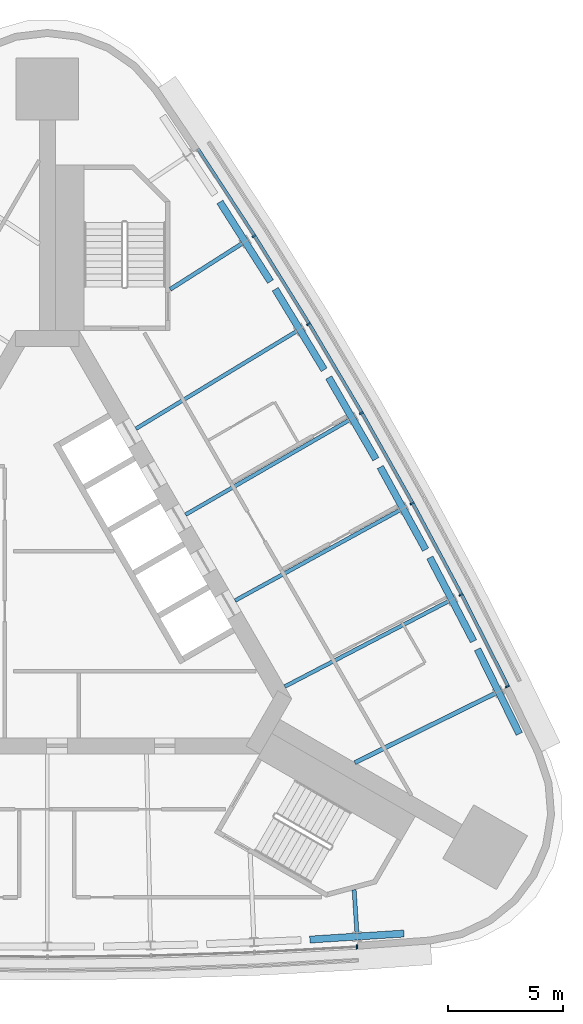
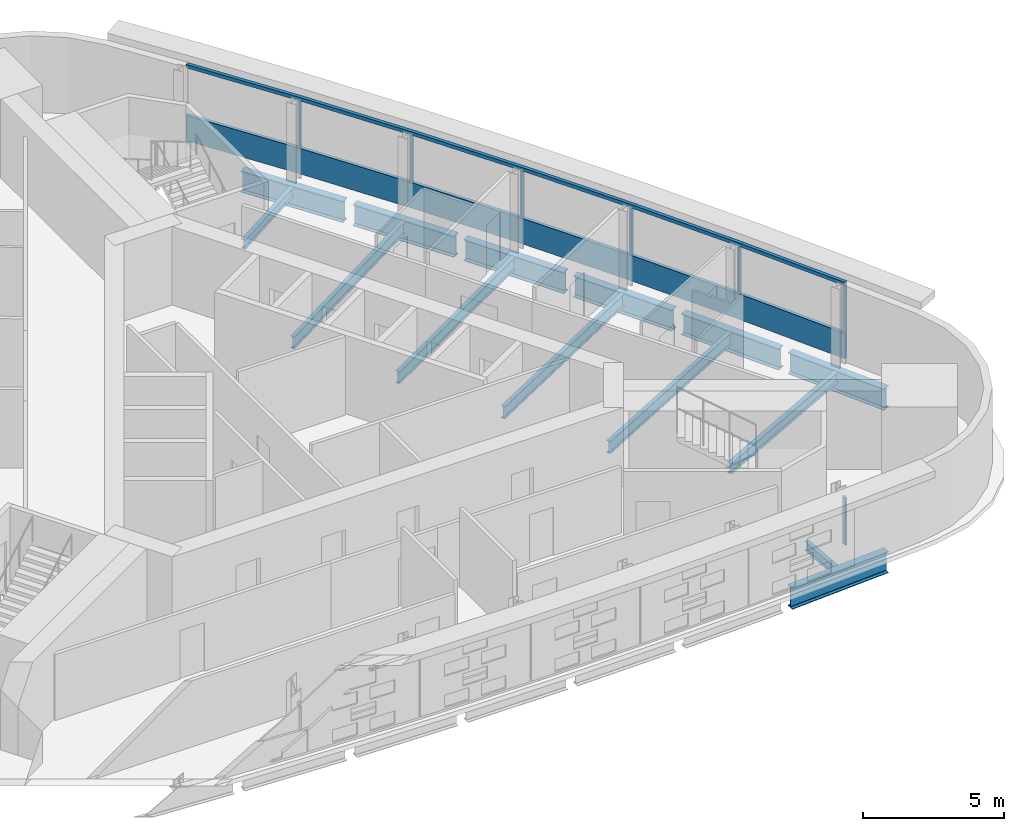
# One storey, part 4 of 10: 14 beams, 9 members, 2 elements without a shape of their own.
"""IFC4 building model written with IfcOpenShell, lengths in metres."""

import ifcopenshell
import ifcopenshell.guid

model = None  # the IFC model being written
_history = None  # IfcOwnerHistory: only IFC2X3 demands one
_inside = {}  # id of a spatial element -> (the spatial element, [elements in it])
_under = {}  # id of a project, library or spatial element -> (it, [spatial elements below it])
_declared = {}  # id of a project -> (the project, [libraries it declares])
_typed = {}  # id of a type object -> (the type object, [elements of that type])
_made_of = {}  # id of a material, layer set ... -> (it, [elements and type objects made of it])


def new_model(schema):
    """Start an empty IFC model of exactly this schema.

    Asked for "IFC4X3", IfcOpenShell would pick the latest addendum, in which some entities
    have other attributes; the version numbers below select the first issue.
    IFC2X3 requires an IfcOwnerHistory on every rooted entity: one is made here for all.
    """
    global model, _history
    if schema == "IFC4X3":
        model = ifcopenshell.file(schema_version=(4, 3, 0, 0))
    else:
        model = ifcopenshell.file(schema=schema)
    _inside.clear()
    _under.clear()
    _declared.clear()
    _typed.clear()
    _made_of.clear()
    _history = None
    if model.schema == "IFC2X3":
        org = make("IfcOrganization", Name="unknown")
        user = make(
            "IfcPersonAndOrganization",
            ThePerson=make("IfcPerson", FamilyName="unknown"),
            TheOrganization=org,
        )
        app = make(
            "IfcApplication",
            ApplicationDeveloper=org,
            Version="unknown",
            ApplicationFullName="unknown",
            ApplicationIdentifier="unknown",
        )
        _history = make(
            "IfcOwnerHistory",
            OwningUser=user,
            OwningApplication=app,
            ChangeAction="ADDED",
            CreationDate=0,
        )
    return model


def make(cls, **values):
    """One entity of the class cls with the attributes given. An attribute that is None is left unset."""
    return model.create_entity(
        cls, **{name: value for name, value in values.items() if value is not None}
    )


def rooted(cls, **values):
    """An entity with a GlobalId (a new one), such as an element, a storey or a relation."""
    return make(cls, GlobalId=ifcopenshell.guid.new(), OwnerHistory=_history, **values)


def si_unit(unit_type, name, prefix=None):
    """IfcSIUnit, for example si_unit("LENGTHUNIT", "METRE", prefix="MILLI")."""
    return make("IfcSIUnit", UnitType=unit_type, Prefix=prefix, Name=name)


def assignment(units):
    """IfcUnitAssignment: the units of a project."""
    return None if units is None else make("IfcUnitAssignment", Units=units)


def point(xyz):
    """IfcCartesianPoint."""
    return None if xyz is None else make("IfcCartesianPoint", Coordinates=xyz)


def direction(xyz):
    """IfcDirection."""
    return None if xyz is None else make("IfcDirection", DirectionRatios=xyz)


def frame(location, z_axis=None, x_axis=None):
    """IfcAxis2Placement3D, a coordinate frame: its origin and axes. An axis left out is left unset."""
    return make(
        "IfcAxis2Placement3D",
        Location=point(location),
        Axis=direction(z_axis),
        RefDirection=direction(x_axis),
    )


def frame_2d(location, x_axis=None):
    """IfcAxis2Placement2D, a coordinate frame in the plane: its origin and x axis."""
    return make(
        "IfcAxis2Placement2D", Location=point(location), RefDirection=direction(x_axis)
    )


def origin():
    """The frame at (0, 0, 0) with its axes left unset."""
    return frame((0.0, 0.0, 0.0))


def origin_2d():
    """The frame at (0, 0) in the plane with its x axis left unset."""
    return frame_2d((0.0, 0.0))


def place(relative_to, where):
    """IfcLocalPlacement: puts the frame where relative to a parent placement (None: the world)."""
    return make(
        "IfcLocalPlacement", PlacementRelTo=relative_to, RelativePlacement=where
    )


def context(
    kind, dimensions, precision=None, world=None, true_north=None, identifier=None
):
    """IfcGeometricRepresentationContext, for example the 3D "Model" context."""
    return make(
        "IfcGeometricRepresentationContext",
        ContextIdentifier=identifier,
        ContextType=kind,
        CoordinateSpaceDimension=dimensions,
        Precision=precision,
        WorldCoordinateSystem=world,
        TrueNorth=true_north,
    )


def subcontext(parent, identifier, kind, view, scale=None):
    """IfcGeometricRepresentationSubContext, for example "Body" below "Model"."""
    return make(
        "IfcGeometricRepresentationSubContext",
        ContextIdentifier=identifier,
        ContextType=kind,
        ParentContext=parent,
        TargetScale=scale,
        TargetView=view,
    )


def project(units=None, contexts=None):
    """IfcProject with its units and contexts."""
    return rooted(
        "IfcProject",
        Name="project",
        RepresentationContexts=contexts,
        UnitsInContext=assignment(units),
    )


def spatial(cls, under=None, at=None, **own):
    """A site, building, storey or space (cls), placed at a placement, below another one or the project."""
    s = rooted(cls, ObjectPlacement=at, **own)
    if under is not None:
        _under.setdefault(under.id(), (under, []))[1].append(s)
    return s


def polyline(points):
    """IfcPolyline through the points."""
    return make("IfcPolyline", Points=[point(p) for p in points])


def profile(cls, at=None, kind="AREA", **sizes):
    """A parametric profile (cls). Its sizes go by their IFC names, for example OverallWidth=200.0."""
    return make(cls, ProfileType=kind, Position=at, **sizes)


def rectangle(**sizes):
    """IfcRectangleProfileDef."""
    return profile("IfcRectangleProfileDef", **sizes)


def i_section(**sizes):
    """IfcIShapeProfileDef."""
    return profile("IfcIShapeProfileDef", **sizes)


def outline(outer, holes=None, kind="AREA"):
    """IfcArbitraryClosedProfileDef: a profile drawn as a closed curve; with holes, ...WithVoids."""
    if holes is None:
        return make("IfcArbitraryClosedProfileDef", ProfileType=kind, OuterCurve=outer)
    return make(
        "IfcArbitraryProfileDefWithVoids",
        ProfileType=kind,
        OuterCurve=outer,
        InnerCurves=holes,
    )


def extrude(swept, where, along, depth):
    """IfcExtrudedAreaSolid: the profile swept, set in the frame where, extruded along a direction by depth."""
    return make(
        "IfcExtrudedAreaSolid",
        SweptArea=swept,
        Position=where,
        ExtrudedDirection=direction(along),
        Depth=depth,
    )


def shape(context_of_items, identifier, shape_type, items):
    """IfcShapeRepresentation: the items that make up one representation, for example the "Body"."""
    return make(
        "IfcShapeRepresentation",
        ContextOfItems=context_of_items,
        RepresentationIdentifier=identifier,
        RepresentationType=shape_type,
        Items=items,
    )


def material(Name=None, Category=None):
    """IfcMaterial."""
    return make("IfcMaterial", Name=Name, Category=Category)


def material_profile(
    of_material, cross_section, Name=None, Category=None, Priority=None
):
    """IfcMaterialProfile: a cross section and its material."""
    return make(
        "IfcMaterialProfile",
        Name=Name,
        Material=of_material,
        Profile=cross_section,
        Priority=Priority,
        Category=Category,
    )


def profile_set(profiles, Name=None, composite=None):
    """IfcMaterialProfileSet."""
    return make(
        "IfcMaterialProfileSet",
        Name=Name,
        MaterialProfiles=profiles,
        CompositeProfile=composite,
    )


def made_of(thing, what):
    """Note that an element or type object is made of a material, layer set ...; save() writes the relation."""
    if what is not None:
        _made_of.setdefault(what.id(), (what, []))[1].append(thing)
    return thing


def type_object(cls, material=None, **own):
    """A type object (cls), such as IfcWallType, which elements share."""
    return made_of(rooted(cls, **own), material)


def element(
    cls,
    number,
    at=None,
    inside=None,
    cuts=None,
    type_object=None,
    material=None,
    context=None,
    identifier="Body",
    shape_type=None,
    held_by="IfcProductDefinitionShape",
    body=None,
    shapes=None,
    **own,
):
    """One element of the class cls, such as IfcWall. Its Tag is "e" and its number.

    at: its placement. inside: the storey or other place that contains it. cuts: it is an
    opening in that element (IfcRelVoidsElement). A single representation is given by context,
    identifier, shape_type and body (its items); several are given by shapes. held_by: the class
    of the entity that holds the representations. save() writes the other relations.
    """
    e = rooted(cls, Tag="e%d" % number, ObjectPlacement=at, **own)
    if body is not None:
        shapes = [shape(context, identifier, shape_type, body)]
    if shapes is not None:
        e.Representation = make(held_by, Representations=shapes)
    if inside is not None:
        _inside.setdefault(inside.id(), (inside, []))[1].append(e)
    if cuts is not None:
        rooted(
            "IfcRelVoidsElement", RelatingBuildingElement=cuts, RelatedOpeningElement=e
        )
    if type_object is not None:
        _typed.setdefault(type_object.id(), (type_object, []))[1].append(e)
    return made_of(e, material)


def aggregate(whole, parts):
    """IfcRelAggregates: a whole, such as a stair, and the parts it consists of."""
    return rooted("IfcRelAggregates", RelatingObject=whole, RelatedObjects=parts)


def save(model, path):
    """Write the relations noted so far, then the file.

    IfcRelAggregates (storeys below a building ...), IfcRelContainedInSpatialStructure (elements
    in a storey), IfcRelDefinesByType, IfcRelAssociatesMaterial and IfcRelDeclares: one each for
    every whole, place, type object, material and project.
    """
    for whole, parts in _under.values():
        aggregate(whole, parts)
    for where, things in _inside.values():
        rooted(
            "IfcRelContainedInSpatialStructure",
            RelatedElements=things,
            RelatingStructure=where,
        )
    for kind, things in _typed.values():
        rooted("IfcRelDefinesByType", RelatedObjects=things, RelatingType=kind)
    for what, things in _made_of.values():
        rooted("IfcRelAssociatesMaterial", RelatedObjects=things, RelatingMaterial=what)
    for by, libraries in _declared.values():
        rooted("IfcRelDeclares", RelatingContext=by, RelatedDefinitions=libraries)
    model.write(path)


model = new_model("IFC4")

# Units and contexts
model_context = context("Model", 3, precision=1e-05, world=origin(), true_north=direction((0.0, 1.0)))
body_context = subcontext(model_context, "Body", "Model", "MODEL_VIEW")
ifc_project = project(units=[si_unit("LENGTHUNIT", "METRE"), si_unit("AREAUNIT", "SQUARE_METRE"), si_unit("VOLUMEUNIT", "CUBIC_METRE"), si_unit("PLANEANGLEUNIT", "RADIAN"), si_unit("MASSUNIT", "GRAM", prefix="KILO")], contexts=[model_context])

# Site, building, storey
site_placement = place(None, origin())
site = spatial("IfcSite", under=ifc_project, at=site_placement, CompositionType="ELEMENT")
building_placement = place(site_placement, origin())
building = spatial("IfcBuilding", under=site, at=building_placement, Name="Noor Cloister Tower", CompositionType="ELEMENT")
storey_placement = place(building_placement, frame((0.0, 0.0, 192.300048828125)))
storey = spatial("IfcBuildingStorey", under=building, at=storey_placement, Name="L49", CompositionType="ELEMENT", Elevation=192.300048828125)

# Curtain wall, member
ifc_material_1 = material(Name="Aluminium 6063-T6 anodised", Category="aluminium")
curtain_wall_type = type_object("IfcCurtainWallType", Name="Ribbon curtain wall, upper tower CW5", PredefinedType="NOTDEFINED", material=ifc_material_1)
curtain_wall_1_placement = place(storey_placement, origin())
curtain_wall_1 = element("IfcCurtainWall", 1, at=curtain_wall_1_placement, inside=storey, type_object=curtain_wall_type, Name="CW5 L49 NE run 3", PredefinedType="NOTDEFINED")
ifc_material_2 = material(Name="Aluminium 6063-T6 anodised", Category="aluminium")
member_type_1 = type_object("IfcMemberType", Name="Head transom CW5 150", PredefinedType="USERDEFINED", material=ifc_material_2)
member_1_placement = place(storey_placement, frame((0.0, 0.0, 3.14990234375)))
member_1 = element("IfcMember", 2, at=member_1_placement, type_object=member_type_1, Name="CW5 head transom", ObjectType="TRANSOM", PredefinedType="USERDEFINED", context=body_context, shape_type="SweptSolid", body=[
    extrude(outline(polyline([(20.085693359375, -3.98095703125), (18.0498046875, 0.031982421875), (15.927490234375, 4.0), (13.7197265625, 7.921142578125), (11.427734375, 11.79345703125), (9.052490234375, 15.615478515625), (6.59521484375, 19.38525390625), (6.477783203125, 19.308837890625), (8.934326171875, 15.540283203125), (11.30810546875, 11.720947265625), (13.598388671875, 7.85107421875), (15.8046875, 3.9326171875), (17.925537109375, -0.03271484375), (19.960693359375, -4.04443359375), (20.085693359375, -3.98095703125)])), origin(), (0.0, 0.0, 1.0), 0.150146484375),
])

curtain_wall_2_placement = place(storey_placement, origin())
curtain_wall_2 = element("IfcCurtainWall", 3, at=curtain_wall_2_placement, inside=storey, type_object=curtain_wall_type, Name="CW5 L49 S run 2", PredefinedType="NOTDEFINED")
ifc_material_3 = material(Name="Aluminium 6063-T6 anodised", Category="aluminium")
ifc_material_profile_1 = material_profile(ifc_material_3, rectangle(XDim=0.179931640625, YDim=0.070068359375, at=origin_2d()), Name="180 x 70 mullion")
ifc_profile_set_1 = profile_set([ifc_material_profile_1], Name="Aluminium 6063-T6 anodised")
member_type_2 = type_object("IfcMemberType", Name="Mullion CW5 70 x 180", PredefinedType="MULLION", material=ifc_profile_set_1)
member_2_placement = place(storey_placement, frame((13.4501953125, -15.30615234375, 1.099853515625), z_axis=(0.0, 0.0, 1.0), x_axis=(-0.054074316624, 0.99853691383, 0.0)))
member_2 = element("IfcMember", 4, at=member_2_placement, type_object=member_type_2, Name="CW5 mullion 7", PredefinedType="MULLION", context=body_context, shape_type="SweptSolid", body=[
    extrude(rectangle(XDim=0.179931640625, YDim=0.070068359375, at=origin_2d()), origin(), (0.0, 0.0, 1.0), 2.050048828125),
])
aggregate(curtain_wall_2, [member_2])

# Member
member_3_placement = place(storey_placement, frame((19.980712890625, -3.9951171875, 1.099853515625), z_axis=(0.0, 0.0, 1.0), x_axis=(-0.891795492306, -0.452438725026, 0.0)))
member_3 = element("IfcMember", 5, at=member_3_placement, type_object=member_type_2, Name="CW5 mullion 1", PredefinedType="MULLION", context=body_context, shape_type="SweptSolid", body=[
    extrude(rectangle(XDim=0.179931640625, YDim=0.070068359375, at=origin_2d()), origin(), (0.0, 0.0, 1.0), 2.050048828125),
])

member_4_placement = place(storey_placement, frame((17.9609375, -0.01416015625, 1.099853515625), z_axis=(0.0, 0.0, 1.0), x_axis=(-0.88684793719, -0.462061398845, 0.0)))
member_4 = element("IfcMember", 6, at=member_4_placement, type_object=member_type_2, Name="CW5 mullion 2", PredefinedType="MULLION", context=body_context, shape_type="SweptSolid", body=[
    extrude(rectangle(XDim=0.179931640625, YDim=0.070068359375, at=origin_2d()), origin(), (0.0, 0.0, 1.0), 2.050048828125),
])

member_5_placement = place(storey_placement, frame((15.83984375, 3.951904296875, 1.099853515625), z_axis=(0.0, 0.0, 1.0), x_axis=(-0.876641929033, -0.481143355208, 0.0)))
member_5 = element("IfcMember", 7, at=member_5_placement, type_object=member_type_2, Name="CW5 mullion 3", PredefinedType="MULLION", context=body_context, shape_type="SweptSolid", body=[
    extrude(rectangle(XDim=0.179931640625, YDim=0.070068359375, at=origin_2d()), origin(), (0.0, 0.0, 1.0), 2.050048828125),
])

member_6_placement = place(storey_placement, frame((13.633056640625, 7.87109375, 1.099853515625), z_axis=(0.0, 0.0, 1.0), x_axis=(-0.866025403784, -0.5, 0.0)))
member_6 = element("IfcMember", 8, at=member_6_placement, type_object=member_type_2, Name="CW5 mullion 4", PredefinedType="MULLION", context=body_context, shape_type="SweptSolid", body=[
    extrude(rectangle(XDim=0.179931640625, YDim=0.070068359375, at=origin_2d()), origin(), (0.0, 0.0, 1.0), 2.050048828125),
])

member_7_placement = place(storey_placement, frame((11.34228515625, 11.74169921875, 1.099853515625), z_axis=(0.0, 0.0, 1.0), x_axis=(-0.855003332989, -0.518622502961, 0.0)))
member_7 = element("IfcMember", 9, at=member_7_placement, type_object=member_type_2, Name="CW5 mullion 5", PredefinedType="MULLION", context=body_context, shape_type="SweptSolid", body=[
    extrude(rectangle(XDim=0.179931640625, YDim=0.070068359375, at=origin_2d()), origin(), (0.0, 0.0, 1.0), 2.050048828125),
])

member_8_placement = place(storey_placement, frame((8.96826171875, 15.561767578125, 1.099853515625), z_axis=(0.0, 0.0, 1.0), x_axis=(-0.843580878103, -0.537002143478, 0.0)))
member_8 = element("IfcMember", 10, at=member_8_placement, type_object=member_type_2, Name="CW5 mullion 6", PredefinedType="MULLION", context=body_context, shape_type="SweptSolid", body=[
    extrude(rectangle(XDim=0.179931640625, YDim=0.070068359375, at=origin_2d()), origin(), (0.0, 0.0, 1.0), 2.050048828125),
])

# Beams
ifc_material_4 = material(Name="Steel ASTM A992 Gr 50", Category="steel")
ifc_material_profile_2 = material_profile(ifc_material_4, i_section(OverallWidth=0.177978515625, OverallDepth=0.406005859375, WebThickness=0.0078125, FlangeThickness=0.0126953125, FilletRadius=0.01025390625, at=origin_2d()), Name="W410x60")
ifc_profile_set_2 = profile_set([ifc_material_profile_2], Name="Steel ASTM A992 Gr 50")
beam_type_1 = type_object("IfcBeamType", Name="Radial beam W410x60", PredefinedType="BEAM", material=ifc_profile_set_2)
beam_1_placement = place(storey_placement, frame((13.44482421875, -14.703125, -0.403076171875), z_axis=(-0.064765092001, 0.997900537558, 0.0), x_axis=(-0.997900537558, -0.064765092001, 0.0)))
element("IfcBeam", 11, at=beam_1_placement, inside=storey, type_object=beam_type_1, Name="Radial beam S 07 L49", PredefinedType="BEAM", context=body_context, shape_type="SweptSolid", body=[
    extrude(i_section(OverallWidth=0.177978515625, OverallDepth=0.406005859375, WebThickness=0.0078125, FlangeThickness=0.0126953125, FilletRadius=0.01025390625, at=origin_2d()), origin(), (0.0, 0.0, 1.0), 1.884765625),
])
beam_2_placement = place(storey_placement, frame((8.4599609375, 15.23828125, -0.403076171875), z_axis=(-0.843588191477, -0.536990654667, 0.0), x_axis=(0.536990654667, -0.843588191477, 0.0)))
element("IfcBeam", 12, at=beam_2_placement, inside=storey, type_object=beam_type_1, Name="Radial beam NE 06 L49", PredefinedType="BEAM", context=body_context, shape_type="SweptSolid", body=[
    extrude(i_section(OverallWidth=0.177978515625, OverallDepth=0.406005859375, WebThickness=0.0078125, FlangeThickness=0.0126953125, FilletRadius=0.01025390625, at=origin_2d()), origin(), (0.0, 0.0, 1.0), 3.70361328125),
])
ifc_material_5 = material(Name="Steel ASTM A992 Gr 50", Category="steel")
ifc_material_profile_3 = material_profile(ifc_material_5, i_section(OverallWidth=0.19091796875, OverallDepth=0.45703125, WebThickness=0.009033203125, FlangeThickness=0.014404296875, FilletRadius=0.01025390625, at=origin_2d()), Name="W460x74")
ifc_profile_set_3 = profile_set([ifc_material_profile_3], Name="Steel ASTM A992 Gr 50")
beam_type_2 = type_object("IfcBeamType", Name="Radial beam W460x74", PredefinedType="BEAM", material=ifc_profile_set_3)
beam_3_placement = place(storey_placement, frame((19.455810546875, -4.2919921875, -0.428466796875), z_axis=(-0.896633121709, -0.442774259702, 0.0), x_axis=(0.442774259702, -0.896633121709, 0.0)))
element("IfcBeam", 13, at=beam_3_placement, inside=storey, type_object=beam_type_2, Name="Radial beam NE 01 L49", PredefinedType="BEAM", context=body_context, shape_type="SweptSolid", body=[
    extrude(i_section(OverallWidth=0.19091796875, OverallDepth=0.45703125, WebThickness=0.009033203125, FlangeThickness=0.014404296875, FilletRadius=0.01025390625, at=origin_2d()), origin(), (0.0, 0.0, 1.0), 6.805908203125),
])
ifc_material_6 = material(Name="Steel ASTM A992 Gr 50", Category="steel")
ifc_material_profile_4 = material_profile(ifc_material_6, i_section(OverallWidth=0.166015625, OverallDepth=0.528076171875, WebThickness=0.009765625, FlangeThickness=0.013671875, FilletRadius=0.0126953125, at=origin_2d()), Name="W530x74")
ifc_profile_set_4 = profile_set([ifc_material_profile_4], Name="Steel ASTM A992 Gr 50")
beam_type_3 = type_object("IfcBeamType", Name="Radial beam W530x74", PredefinedType="BEAM", material=ifc_profile_set_4)
beam_4_placement = place(storey_placement, frame((17.4267578125, -0.292724609375, -0.464111328125), z_axis=(-0.886849418351, -0.462058555998, 0.0), x_axis=(0.462058555998, -0.886849418351, 0.0)))
element("IfcBeam", 14, at=beam_4_placement, inside=storey, type_object=beam_type_3, Name="Radial beam NE 02 L49", PredefinedType="BEAM", context=body_context, shape_type="SweptSolid", body=[
    extrude(i_section(OverallWidth=0.166015625, OverallDepth=0.528076171875, WebThickness=0.009765625, FlangeThickness=0.013671875, FilletRadius=0.0126953125, at=origin_2d()), origin(), (0.0, 0.0, 1.0), 8.02490234375),
])
beam_5_placement = place(storey_placement, frame((15.3115234375, 3.661865234375, -0.464111328125), z_axis=(-0.876643592252, -0.481140324815, 0.0), x_axis=(0.481140324815, -0.876643592252, 0.0)))
element("IfcBeam", 15, at=beam_5_placement, inside=storey, type_object=beam_type_3, Name="Radial beam NE 03 L49", PredefinedType="BEAM", context=body_context, shape_type="SweptSolid", body=[
    extrude(i_section(OverallWidth=0.166015625, OverallDepth=0.528076171875, WebThickness=0.009765625, FlangeThickness=0.013671875, FilletRadius=0.0126953125, at=origin_2d()), origin(), (0.0, 0.0, 1.0), 8.164794921875),
])
beam_6_placement = place(storey_placement, frame((13.111328125, 7.56982421875, -0.464111328125), z_axis=(-0.86602615874, -0.499998692376, 0.0), x_axis=(0.499998692376, -0.86602615874, 0.0)))
element("IfcBeam", 16, at=beam_6_placement, inside=storey, type_object=beam_type_3, Name="Radial beam NE 04 L49", PredefinedType="BEAM", context=body_context, shape_type="SweptSolid", body=[
    extrude(i_section(OverallWidth=0.166015625, OverallDepth=0.528076171875, WebThickness=0.009765625, FlangeThickness=0.013671875, FilletRadius=0.0126953125, at=origin_2d()), origin(), (0.0, 0.0, 1.0), 8.21142578125),
])
beam_7_placement = place(storey_placement, frame((10.8271484375, 11.42919921875, -0.464111328125), z_axis=(-0.855008203018, -0.518614474125, 0.0), x_axis=(0.518614474125, -0.855008203018, 0.0)))
element("IfcBeam", 17, at=beam_7_placement, inside=storey, type_object=beam_type_3, Name="Radial beam NE 05 L49", PredefinedType="BEAM", context=body_context, shape_type="SweptSolid", body=[
    extrude(i_section(OverallWidth=0.166015625, OverallDepth=0.528076171875, WebThickness=0.009765625, FlangeThickness=0.013671875, FilletRadius=0.0126953125, at=origin_2d()), origin(), (0.0, 0.0, 1.0), 8.164794921875),
])

# Member
ifc_material_7 = material(Name="Aluminium 6063-T6 anodised", Category="aluminium")
member_type_3 = type_object("IfcMemberType", Name="Sill transom CW5 1100", PredefinedType="USERDEFINED", material=ifc_material_7)
member_9_placement = place(storey_placement, origin())
member_9 = element("IfcMember", 18, at=member_9_placement, type_object=member_type_3, Name="CW5 sill transom", ObjectType="TRANSOM", PredefinedType="USERDEFINED", context=body_context, shape_type="SweptSolid", body=[
    extrude(outline(polyline([(20.085693359375, -3.98095703125), (18.0498046875, 0.031982421875), (15.927490234375, 4.0), (13.7197265625, 7.921142578125), (11.427734375, 11.79345703125), (9.052490234375, 15.615478515625), (6.59521484375, 19.38525390625), (6.477783203125, 19.308837890625), (8.934326171875, 15.540283203125), (11.30810546875, 11.720947265625), (13.598388671875, 7.85107421875), (15.8046875, 3.9326171875), (17.925537109375, -0.03271484375), (19.960693359375, -4.04443359375), (20.085693359375, -3.98095703125)])), origin(), (0.0, 0.0, 1.0), 1.099853515625),
])

aggregate(curtain_wall_1, [member_3, member_4, member_5, member_6, member_7, member_8, member_9, member_1])

# Beams
ifc_material_8 = material(Name="Steel ASTM A992 Gr 50", Category="steel")
ifc_material_profile_5 = material_profile(ifc_material_8, i_section(OverallWidth=0.304931640625, OverallDepth=0.9189453125, WebThickness=0.017333984375, FlangeThickness=0.02783203125, FilletRadius=0.01904296875, at=origin_2d()), Name="W920x253")
ifc_profile_set_5 = profile_set([ifc_material_profile_5], Name="Steel ASTM A992 Gr 50")
beam_type_4 = type_object("IfcBeamType", Name="Transfer girder W920x253", PredefinedType="BEAM", material=ifc_profile_set_5)
beam_8_placement = place(storey_placement, frame((11.40087890625, -14.9873046875, -0.65966796875), z_axis=(0.997939374262, 0.064163894037, 0.0), x_axis=(-0.064163894037, 0.997939374262, 0.0)))
element("IfcBeam", 19, at=beam_8_placement, inside=storey, type_object=beam_type_4, Name="Transfer girder S 07 L49", PredefinedType="BEAM", context=body_context, shape_type="SweptSolid", body=[
    extrude(i_section(OverallWidth=0.304931640625, OverallDepth=0.9189453125, WebThickness=0.017333984375, FlangeThickness=0.02783203125, FilletRadius=0.01904296875, at=origin_2d()), origin(), (0.0, 0.0, 1.0), 4.09423828125),
])
beam_9_placement = place(storey_placement, frame((20.4951171875, -6.049560546875, -0.65966796875), z_axis=(-0.443369127314, 0.896339119388, 0.0), x_axis=(-0.896339119388, -0.443369127314, 0.0)))
element("IfcBeam", 20, at=beam_9_placement, inside=storey, type_object=beam_type_4, Name="Transfer girder NE 01 L49", PredefinedType="BEAM", context=body_context, shape_type="SweptSolid", body=[
    extrude(i_section(OverallWidth=0.304931640625, OverallDepth=0.9189453125, WebThickness=0.017333984375, FlangeThickness=0.02783203125, FilletRadius=0.01904296875, at=origin_2d()), origin(), (0.0, 0.0, 1.0), 4.093994140625),
])
for number, where, z_axis, x_axis, name in (
    (21, (18.50537109375, -2.03076171875, -0.65966796875), (-0.462484490753, 0.886627371455, 0.0), (-0.886627371455, -0.462484490753, 0.0), "Transfer girder NE 02 L49"),
    (22, (16.428955078125, 1.944091796875, -0.65966796875), (-0.481323495335, 0.87654303536, 0.0), (-0.87654303536, -0.481323495335, 0.0), "Transfer girder NE 03 L49"),
):
    element("IfcBeam", number, at=place(storey_placement, frame(where, z_axis=z_axis, x_axis=x_axis)), inside=storey, type_object=beam_type_4, Name=name, PredefinedType="BEAM", context=body_context, shape_type="SweptSolid", body=[
        extrude(i_section(OverallWidth=0.304931640625, OverallDepth=0.9189453125, WebThickness=0.017333984375, FlangeThickness=0.02783203125, FilletRadius=0.01904296875, at=origin_2d()), origin(), (0.0, 0.0, 1.0), 4.09423828125),
    ])
beam_10_placement = place(storey_placement, frame((14.266845703125, 5.873291015625, -0.65966796875), z_axis=(-0.499961627599, 0.866047556967, 0.0), x_axis=(-0.866047556967, -0.499961627599, 0.0)))
element("IfcBeam", 23, at=beam_10_placement, inside=storey, type_object=beam_type_4, Name="Transfer girder NE 04 L49", PredefinedType="BEAM", context=body_context, shape_type="SweptSolid", body=[
    extrude(i_section(OverallWidth=0.304931640625, OverallDepth=0.9189453125, WebThickness=0.017333984375, FlangeThickness=0.02783203125, FilletRadius=0.01904296875, at=origin_2d()), origin(), (0.0, 0.0, 1.0), 4.093994140625),
])
beam_11_placement = place(storey_placement, frame((12.020751953125, 9.754638671875, -0.65966796875), z_axis=(-0.518436511351, 0.855116122932, 0.0), x_axis=(-0.855116122932, -0.518436511351, 0.0)))
element("IfcBeam", 24, at=beam_11_placement, inside=storey, type_object=beam_type_4, Name="Transfer girder NE 05 L49", PredefinedType="BEAM", context=body_context, shape_type="SweptSolid", body=[
    extrude(i_section(OverallWidth=0.304931640625, OverallDepth=0.9189453125, WebThickness=0.017333984375, FlangeThickness=0.02783203125, FilletRadius=0.01904296875, at=origin_2d()), origin(), (0.0, 0.0, 1.0), 4.09423828125),
])
beam_12_placement = place(storey_placement, frame((9.69091796875, 13.586669921875, -0.65966796875), z_axis=(-0.536640095143, 0.843811239724, 0.0), x_axis=(-0.843811239724, -0.536640095143, 0.0)))
element("IfcBeam", 25, at=beam_12_placement, inside=storey, type_object=beam_type_4, Name="Transfer girder NE 06 L49", PredefinedType="BEAM", context=body_context, shape_type="SweptSolid", body=[
    extrude(i_section(OverallWidth=0.304931640625, OverallDepth=0.9189453125, WebThickness=0.017333984375, FlangeThickness=0.02783203125, FilletRadius=0.01904296875, at=origin_2d()), origin(), (0.0, 0.0, 1.0), 4.093994140625),
])

save(model, "model.ifc")
